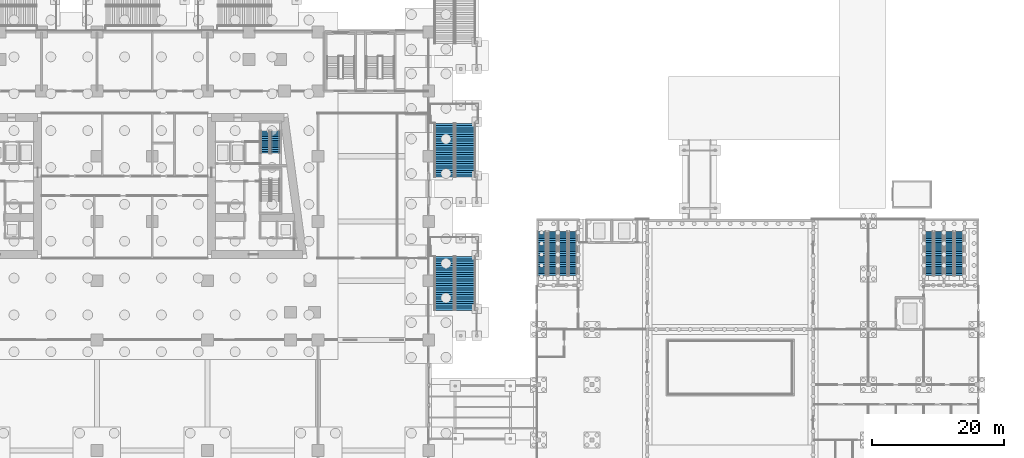
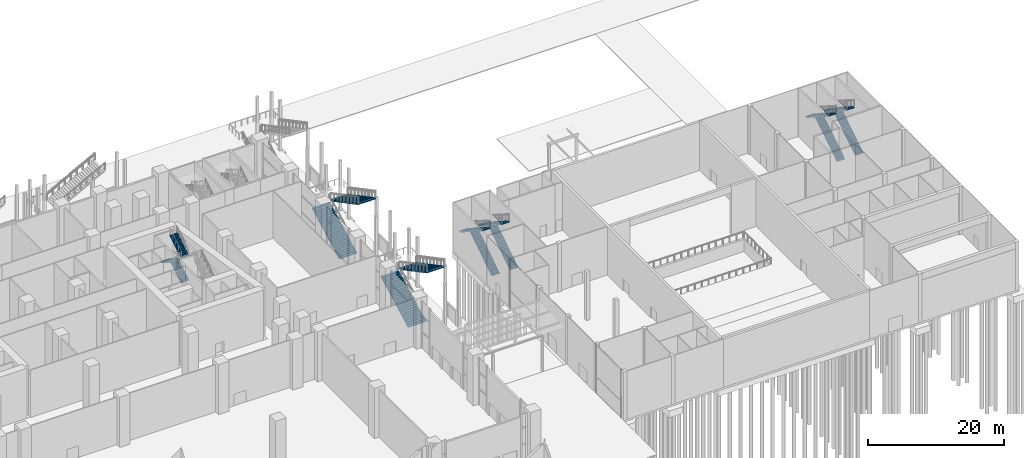
# One storey, part 53 of 72: 15 stair flights, 7 elements without a shape of their own.
"""IFC4 building model written with IfcOpenShell, lengths in metres."""

import ifcopenshell
import ifcopenshell.guid

model = None  # the IFC model being written
_history = None  # IfcOwnerHistory: only IFC2X3 demands one
_inside = {}  # id of a spatial element -> (the spatial element, [elements in it])
_under = {}  # id of a project, library or spatial element -> (it, [spatial elements below it])
_declared = {}  # id of a project -> (the project, [libraries it declares])
_typed = {}  # id of a type object -> (the type object, [elements of that type])
_made_of = {}  # id of a material, layer set ... -> (it, [elements and type objects made of it])


def new_model(schema):
    """Start an empty IFC model of exactly this schema.

    Asked for "IFC4X3", IfcOpenShell would pick the latest addendum, in which some entities
    have other attributes; the version numbers below select the first issue.
    IFC2X3 requires an IfcOwnerHistory on every rooted entity: one is made here for all.
    """
    global model, _history
    if schema == "IFC4X3":
        model = ifcopenshell.file(schema_version=(4, 3, 0, 0))
    else:
        model = ifcopenshell.file(schema=schema)
    _inside.clear()
    _under.clear()
    _declared.clear()
    _typed.clear()
    _made_of.clear()
    _history = None
    if model.schema == "IFC2X3":
        org = make("IfcOrganization", Name="unknown")
        user = make(
            "IfcPersonAndOrganization",
            ThePerson=make("IfcPerson", FamilyName="unknown"),
            TheOrganization=org,
        )
        app = make(
            "IfcApplication",
            ApplicationDeveloper=org,
            Version="unknown",
            ApplicationFullName="unknown",
            ApplicationIdentifier="unknown",
        )
        _history = make(
            "IfcOwnerHistory",
            OwningUser=user,
            OwningApplication=app,
            ChangeAction="ADDED",
            CreationDate=0,
        )
    return model


def make(cls, **values):
    """One entity of the class cls with the attributes given. An attribute that is None is left unset."""
    return model.create_entity(
        cls, **{name: value for name, value in values.items() if value is not None}
    )


def rooted(cls, **values):
    """An entity with a GlobalId (a new one), such as an element, a storey or a relation."""
    return make(cls, GlobalId=ifcopenshell.guid.new(), OwnerHistory=_history, **values)


def si_unit(unit_type, name, prefix=None):
    """IfcSIUnit, for example si_unit("LENGTHUNIT", "METRE", prefix="MILLI")."""
    return make("IfcSIUnit", UnitType=unit_type, Prefix=prefix, Name=name)


def assignment(units):
    """IfcUnitAssignment: the units of a project."""
    return None if units is None else make("IfcUnitAssignment", Units=units)


def point(xyz):
    """IfcCartesianPoint."""
    return None if xyz is None else make("IfcCartesianPoint", Coordinates=xyz)


def direction(xyz):
    """IfcDirection."""
    return None if xyz is None else make("IfcDirection", DirectionRatios=xyz)


def frame(location, z_axis=None, x_axis=None):
    """IfcAxis2Placement3D, a coordinate frame: its origin and axes. An axis left out is left unset."""
    return make(
        "IfcAxis2Placement3D",
        Location=point(location),
        Axis=direction(z_axis),
        RefDirection=direction(x_axis),
    )


def origin():
    """The frame at (0, 0, 0) with its axes left unset."""
    return frame((0.0, 0.0, 0.0))


def place(relative_to, where):
    """IfcLocalPlacement: puts the frame where relative to a parent placement (None: the world)."""
    return make(
        "IfcLocalPlacement", PlacementRelTo=relative_to, RelativePlacement=where
    )


def context(
    kind, dimensions, precision=None, world=None, true_north=None, identifier=None
):
    """IfcGeometricRepresentationContext, for example the 3D "Model" context."""
    return make(
        "IfcGeometricRepresentationContext",
        ContextIdentifier=identifier,
        ContextType=kind,
        CoordinateSpaceDimension=dimensions,
        Precision=precision,
        WorldCoordinateSystem=world,
        TrueNorth=true_north,
    )


def subcontext(parent, identifier, kind, view, scale=None):
    """IfcGeometricRepresentationSubContext, for example "Body" below "Model"."""
    return make(
        "IfcGeometricRepresentationSubContext",
        ContextIdentifier=identifier,
        ContextType=kind,
        ParentContext=parent,
        TargetScale=scale,
        TargetView=view,
    )


def project(units=None, contexts=None):
    """IfcProject with its units and contexts."""
    return rooted(
        "IfcProject",
        Name="project",
        RepresentationContexts=contexts,
        UnitsInContext=assignment(units),
    )


def spatial(cls, under=None, at=None, **own):
    """A site, building, storey or space (cls), placed at a placement, below another one or the project."""
    s = rooted(cls, ObjectPlacement=at, **own)
    if under is not None:
        _under.setdefault(under.id(), (under, []))[1].append(s)
    return s


def polyline(points):
    """IfcPolyline through the points."""
    return make("IfcPolyline", Points=[point(p) for p in points])


def outline(outer, holes=None, kind="AREA"):
    """IfcArbitraryClosedProfileDef: a profile drawn as a closed curve; with holes, ...WithVoids."""
    if holes is None:
        return make("IfcArbitraryClosedProfileDef", ProfileType=kind, OuterCurve=outer)
    return make(
        "IfcArbitraryProfileDefWithVoids",
        ProfileType=kind,
        OuterCurve=outer,
        InnerCurves=holes,
    )


def extrude(swept, where, along, depth):
    """IfcExtrudedAreaSolid: the profile swept, set in the frame where, extruded along a direction by depth."""
    return make(
        "IfcExtrudedAreaSolid",
        SweptArea=swept,
        Position=where,
        ExtrudedDirection=direction(along),
        Depth=depth,
    )


def shape(context_of_items, identifier, shape_type, items):
    """IfcShapeRepresentation: the items that make up one representation, for example the "Body"."""
    return make(
        "IfcShapeRepresentation",
        ContextOfItems=context_of_items,
        RepresentationIdentifier=identifier,
        RepresentationType=shape_type,
        Items=items,
    )


def material(Name=None, Category=None):
    """IfcMaterial."""
    return make("IfcMaterial", Name=Name, Category=Category)


def made_of(thing, what):
    """Note that an element or type object is made of a material, layer set ...; save() writes the relation."""
    if what is not None:
        _made_of.setdefault(what.id(), (what, []))[1].append(thing)
    return thing


def type_object(cls, material=None, **own):
    """A type object (cls), such as IfcWallType, which elements share."""
    return made_of(rooted(cls, **own), material)


def element(
    cls,
    number,
    at=None,
    inside=None,
    cuts=None,
    type_object=None,
    material=None,
    context=None,
    identifier="Body",
    shape_type=None,
    held_by="IfcProductDefinitionShape",
    body=None,
    shapes=None,
    **own,
):
    """One element of the class cls, such as IfcWall. Its Tag is "e" and its number.

    at: its placement. inside: the storey or other place that contains it. cuts: it is an
    opening in that element (IfcRelVoidsElement). A single representation is given by context,
    identifier, shape_type and body (its items); several are given by shapes. held_by: the class
    of the entity that holds the representations. save() writes the other relations.
    """
    e = rooted(cls, Tag="e%d" % number, ObjectPlacement=at, **own)
    if body is not None:
        shapes = [shape(context, identifier, shape_type, body)]
    if shapes is not None:
        e.Representation = make(held_by, Representations=shapes)
    if inside is not None:
        _inside.setdefault(inside.id(), (inside, []))[1].append(e)
    if cuts is not None:
        rooted(
            "IfcRelVoidsElement", RelatingBuildingElement=cuts, RelatedOpeningElement=e
        )
    if type_object is not None:
        _typed.setdefault(type_object.id(), (type_object, []))[1].append(e)
    return made_of(e, material)


def aggregate(whole, parts):
    """IfcRelAggregates: a whole, such as a stair, and the parts it consists of."""
    return rooted("IfcRelAggregates", RelatingObject=whole, RelatedObjects=parts)


def save(model, path):
    """Write the relations noted so far, then the file.

    IfcRelAggregates (storeys below a building ...), IfcRelContainedInSpatialStructure (elements
    in a storey), IfcRelDefinesByType, IfcRelAssociatesMaterial and IfcRelDeclares: one each for
    every whole, place, type object, material and project.
    """
    for whole, parts in _under.values():
        aggregate(whole, parts)
    for where, things in _inside.values():
        rooted(
            "IfcRelContainedInSpatialStructure",
            RelatedElements=things,
            RelatingStructure=where,
        )
    for kind, things in _typed.values():
        rooted("IfcRelDefinesByType", RelatedObjects=things, RelatingType=kind)
    for what, things in _made_of.values():
        rooted("IfcRelAssociatesMaterial", RelatedObjects=things, RelatingMaterial=what)
    for by, libraries in _declared.values():
        rooted("IfcRelDeclares", RelatingContext=by, RelatedDefinitions=libraries)
    model.write(path)


model = new_model("IFC4")

# Units and contexts
model_context = context("Model", 3, precision=1e-05, world=origin(), true_north=direction((0.0, 1.0)))
body_context = subcontext(model_context, "Body", "Model", "MODEL_VIEW")
ifc_project = project(units=[si_unit("LENGTHUNIT", "METRE"), si_unit("AREAUNIT", "SQUARE_METRE"), si_unit("VOLUMEUNIT", "CUBIC_METRE"), si_unit("PLANEANGLEUNIT", "RADIAN"), si_unit("MASSUNIT", "GRAM", prefix="KILO")], contexts=[model_context])

# Site, building, storey
site_placement = place(None, origin())
site = spatial("IfcSite", under=ifc_project, at=site_placement, CompositionType="ELEMENT")
building_placement = place(site_placement, origin())
building = spatial("IfcBuilding", under=site, at=building_placement, Name="Candeia Pilgrim Tower and Theatre", CompositionType="ELEMENT")
storey_placement = place(building_placement, origin())
storey = spatial("IfcBuildingStorey", under=building, at=storey_placement, Name="L00", CompositionType="ELEMENT", Elevation=0.0)

# Stair, stair flights
ifc_material_1 = material(Name="Concrete C40/50", Category="concrete")
stair_type_1 = type_object("IfcStairType", Name="ST-EXT external escape stair", PredefinedType="HALF_TURN_STAIR", material=ifc_material_1)
stair_1_placement = place(storey_placement, origin())
stair_1 = element("IfcStair", 1, at=stair_1_placement, inside=storey, type_object=stair_type_1, Name="L00 External escape stair ES1", PredefinedType="HALF_TURN_STAIR")
stair_flight_type_1 = type_object("IfcStairFlightType", Name="SFL-EXT stair flight", PredefinedType="STRAIGHT", material=ifc_material_1)
stair_flight_1_placement = place(storey_placement, frame((162.0, 102.5, 0.0), z_axis=(0.0, 0.0, 1.0), x_axis=(0.0, 1.0, 0.0)))
stair_flight_1 = element("IfcStairFlight", 2, at=stair_flight_1_placement, type_object=stair_flight_type_1, Name="ES1 flight 1", NumberOfRisers=25, NumberOfTreads=24, PredefinedType="STRAIGHT", RiserHeight=0.18, TreadLength=0.34, context=body_context, shape_type="SweptSolid", body=[
    extrude(outline(polyline([(0.0, 0.0), (0.0, 0.179931640625), (0.340087890625, 0.179931640625), (0.340087890625, 0.360107421875), (0.679931640625, 0.360107421875), (0.679931640625, 0.5400390625), (1.02001953125, 0.5400390625), (1.02001953125, 0.719970703125), (1.360107421875, 0.719970703125), (1.360107421875, 0.89990234375), (1.699951171875, 0.89990234375), (1.699951171875, 1.080078125), (2.0400390625, 1.080078125), (2.0400390625, 1.260009765625), (2.3798828125, 1.260009765625), (2.3798828125, 1.43994140625), (2.719970703125, 1.43994140625), (2.719970703125, 1.6201171875), (3.06005859375, 1.6201171875), (3.06005859375, 1.800048828125), (3.39990234375, 1.800048828125), (3.39990234375, 1.97998046875), (3.739990234375, 1.97998046875), (3.739990234375, 2.159912109375), (4.080078125, 2.159912109375), (4.080078125, 2.340087890625), (4.419921875, 2.340087890625), (4.419921875, 2.52001953125), (4.760009765625, 2.52001953125), (4.760009765625, 2.699951171875), (5.10009765625, 2.699951171875), (5.10009765625, 2.8798828125), (5.43994140625, 2.8798828125), (5.43994140625, 3.06005859375), (5.780029296875, 3.06005859375), (5.780029296875, 3.239990234375), (6.1201171875, 3.239990234375), (6.1201171875, 3.419921875), (6.4599609375, 3.419921875), (6.4599609375, 3.60009765625), (6.800048828125, 3.60009765625), (6.800048828125, 3.780029296875), (7.139892578125, 3.780029296875), (7.139892578125, 3.9599609375), (7.47998046875, 3.9599609375), (7.47998046875, 4.139892578125), (7.820068359375, 4.139892578125), (7.820068359375, 4.320068359375), (8.159912109375, 4.320068359375), (8.159912109375, 4.5), (8.159912109375, 4.150390625), (0.3203125, 0.0), (0.0, 0.0)])), frame((0.0, 1.5, 0.0), z_axis=(0.0, -1.0, 0.0), x_axis=(1.0, 0.0, 0.0)), (0.0, 0.0, 1.0), 3.0),
])
stair_flight_2_placement = place(storey_placement, frame((165.14990234375, 110.659912109375, 4.5), z_axis=(0.0, 0.0, 1.0), x_axis=(0.0, -1.0, 0.0)))
stair_flight_2 = element("IfcStairFlight", 3, at=stair_flight_2_placement, type_object=stair_flight_type_1, Name="ES1 flight 2", NumberOfRisers=25, NumberOfTreads=24, PredefinedType="STRAIGHT", RiserHeight=0.18, TreadLength=0.34, context=body_context, shape_type="SweptSolid", body=[
    extrude(outline(polyline([(0.0, 0.0), (0.0, 0.179931640625), (0.340087890625, 0.179931640625), (0.340087890625, 0.360107421875), (0.679931640625, 0.360107421875), (0.679931640625, 0.5400390625), (1.02001953125, 0.5400390625), (1.02001953125, 0.719970703125), (1.360107421875, 0.719970703125), (1.360107421875, 0.89990234375), (1.699951171875, 0.89990234375), (1.699951171875, 1.080078125), (2.0400390625, 1.080078125), (2.0400390625, 1.260009765625), (2.3798828125, 1.260009765625), (2.3798828125, 1.43994140625), (2.719970703125, 1.43994140625), (2.719970703125, 1.6201171875), (3.06005859375, 1.6201171875), (3.06005859375, 1.800048828125), (3.39990234375, 1.800048828125), (3.39990234375, 1.97998046875), (3.739990234375, 1.97998046875), (3.739990234375, 2.159912109375), (4.080078125, 2.159912109375), (4.080078125, 2.340087890625), (4.419921875, 2.340087890625), (4.419921875, 2.52001953125), (4.760009765625, 2.52001953125), (4.760009765625, 2.699951171875), (5.10009765625, 2.699951171875), (5.10009765625, 2.8798828125), (5.43994140625, 2.8798828125), (5.43994140625, 3.06005859375), (5.780029296875, 3.06005859375), (5.780029296875, 3.239990234375), (6.1201171875, 3.239990234375), (6.1201171875, 3.419921875), (6.4599609375, 3.419921875), (6.4599609375, 3.60009765625), (6.800048828125, 3.60009765625), (6.800048828125, 3.780029296875), (7.139892578125, 3.780029296875), (7.139892578125, 3.9599609375), (7.47998046875, 3.9599609375), (7.47998046875, 4.139892578125), (7.820068359375, 4.139892578125), (7.820068359375, 4.320068359375), (8.159912109375, 4.320068359375), (8.159912109375, 4.5), (8.159912109375, 4.150390625), (0.3203125, 0.0), (0.0, 0.0)])), frame((0.0, 1.5, 0.0), z_axis=(0.0, -1.0, 0.0), x_axis=(1.0, 0.0, 0.0)), (0.0, 0.0, 1.0), 3.0),
])
aggregate(stair_1, [stair_flight_1, stair_flight_2])

stair_2_placement = place(storey_placement, origin())
stair_2 = element("IfcStair", 4, at=stair_2_placement, inside=storey, type_object=stair_type_1, Name="L00 External escape stair ES14", PredefinedType="HALF_TURN_STAIR")
stair_flight_3_placement = place(storey_placement, frame((162.0, 122.75, 0.0), z_axis=(0.0, 0.0, 1.0), x_axis=(0.0, 1.0, 0.0)))
stair_flight_3 = element("IfcStairFlight", 5, at=stair_flight_3_placement, type_object=stair_flight_type_1, Name="ES14 flight 1", NumberOfRisers=25, NumberOfTreads=24, PredefinedType="STRAIGHT", RiserHeight=0.18, TreadLength=0.34, context=body_context, shape_type="SweptSolid", body=[
    extrude(outline(polyline([(0.0, 0.0), (0.0, 0.179931640625), (0.340087890625, 0.179931640625), (0.340087890625, 0.360107421875), (0.679931640625, 0.360107421875), (0.679931640625, 0.5400390625), (1.02001953125, 0.5400390625), (1.02001953125, 0.719970703125), (1.360107421875, 0.719970703125), (1.360107421875, 0.89990234375), (1.699951171875, 0.89990234375), (1.699951171875, 1.080078125), (2.0400390625, 1.080078125), (2.0400390625, 1.260009765625), (2.3798828125, 1.260009765625), (2.3798828125, 1.43994140625), (2.719970703125, 1.43994140625), (2.719970703125, 1.6201171875), (3.06005859375, 1.6201171875), (3.06005859375, 1.800048828125), (3.39990234375, 1.800048828125), (3.39990234375, 1.97998046875), (3.739990234375, 1.97998046875), (3.739990234375, 2.159912109375), (4.080078125, 2.159912109375), (4.080078125, 2.340087890625), (4.419921875, 2.340087890625), (4.419921875, 2.52001953125), (4.760009765625, 2.52001953125), (4.760009765625, 2.699951171875), (5.10009765625, 2.699951171875), (5.10009765625, 2.8798828125), (5.43994140625, 2.8798828125), (5.43994140625, 3.06005859375), (5.780029296875, 3.06005859375), (5.780029296875, 3.239990234375), (6.1201171875, 3.239990234375), (6.1201171875, 3.419921875), (6.4599609375, 3.419921875), (6.4599609375, 3.60009765625), (6.800048828125, 3.60009765625), (6.800048828125, 3.780029296875), (7.139892578125, 3.780029296875), (7.139892578125, 3.9599609375), (7.47998046875, 3.9599609375), (7.47998046875, 4.139892578125), (7.820068359375, 4.139892578125), (7.820068359375, 4.320068359375), (8.159912109375, 4.320068359375), (8.159912109375, 4.5), (8.159912109375, 4.150390625), (0.3203125, 0.0), (0.0, 0.0)])), frame((0.0, 1.5, 0.0), z_axis=(0.0, -1.0, 0.0), x_axis=(1.0, 0.0, 0.0)), (0.0, 0.0, 1.0), 3.0),
])
stair_flight_4_placement = place(storey_placement, frame((165.14990234375, 130.909912109375, 4.5), z_axis=(0.0, 0.0, 1.0), x_axis=(0.0, -1.0, 0.0)))
stair_flight_4 = element("IfcStairFlight", 6, at=stair_flight_4_placement, type_object=stair_flight_type_1, Name="ES14 flight 2", NumberOfRisers=25, NumberOfTreads=24, PredefinedType="STRAIGHT", RiserHeight=0.18, TreadLength=0.34, context=body_context, shape_type="SweptSolid", body=[
    extrude(outline(polyline([(0.0, 0.0), (0.0, 0.179931640625), (0.340087890625, 0.179931640625), (0.340087890625, 0.360107421875), (0.679931640625, 0.360107421875), (0.679931640625, 0.5400390625), (1.02001953125, 0.5400390625), (1.02001953125, 0.719970703125), (1.360107421875, 0.719970703125), (1.360107421875, 0.89990234375), (1.699951171875, 0.89990234375), (1.699951171875, 1.080078125), (2.0400390625, 1.080078125), (2.0400390625, 1.260009765625), (2.3798828125, 1.260009765625), (2.3798828125, 1.43994140625), (2.719970703125, 1.43994140625), (2.719970703125, 1.6201171875), (3.06005859375, 1.6201171875), (3.06005859375, 1.800048828125), (3.39990234375, 1.800048828125), (3.39990234375, 1.97998046875), (3.739990234375, 1.97998046875), (3.739990234375, 2.159912109375), (4.080078125, 2.159912109375), (4.080078125, 2.340087890625), (4.419921875, 2.340087890625), (4.419921875, 2.52001953125), (4.760009765625, 2.52001953125), (4.760009765625, 2.699951171875), (5.10009765625, 2.699951171875), (5.10009765625, 2.8798828125), (5.43994140625, 2.8798828125), (5.43994140625, 3.06005859375), (5.780029296875, 3.06005859375), (5.780029296875, 3.239990234375), (6.1201171875, 3.239990234375), (6.1201171875, 3.419921875), (6.4599609375, 3.419921875), (6.4599609375, 3.60009765625), (6.800048828125, 3.60009765625), (6.800048828125, 3.780029296875), (7.139892578125, 3.780029296875), (7.139892578125, 3.9599609375), (7.47998046875, 3.9599609375), (7.47998046875, 4.139892578125), (7.820068359375, 4.139892578125), (7.820068359375, 4.320068359375), (8.159912109375, 4.320068359375), (8.159912109375, 4.5), (8.159912109375, 4.150390625), (0.3203125, 0.0), (0.0, 0.0)])), frame((0.0, 1.5, 0.0), z_axis=(0.0, -1.0, 0.0), x_axis=(1.0, 0.0, 0.0)), (0.0, 0.0, 1.0), 3.0),
])
aggregate(stair_2, [stair_flight_3, stair_flight_4])

stair_type_2 = type_object("IfcStairType", Name="ST-TWR dog-leg escape stair", PredefinedType="HALF_TURN_STAIR", material=ifc_material_1)
stair_3_placement = place(storey_placement, origin())
stair_3 = element("IfcStair", 7, at=stair_3_placement, inside=storey, type_object=stair_type_2, Name="L00 Escape stair ST4", PredefinedType="HALF_TURN_STAIR")
stair_flight_type_2 = type_object("IfcStairFlightType", Name="SFL-RC stair flight", PredefinedType="STRAIGHT", material=ifc_material_1)
stair_flight_5_placement = place(storey_placement, frame((136.322998046875, 126.364990234375, 2.25), z_axis=(0.0, 0.0, 1.0), x_axis=(0.0, 1.0, 0.0)))
stair_flight_5 = element("IfcStairFlight", 8, at=stair_flight_5_placement, type_object=stair_flight_type_2, Name="ST4 flight 2", NumberOfRisers=13, NumberOfTreads=12, PredefinedType="STRAIGHT", RiserHeight=0.173076923, TreadLength=0.28, context=body_context, shape_type="SweptSolid", body=[
    extrude(outline(polyline([(0.0, 0.0), (0.0, 0.173095703125), (0.280029296875, 0.173095703125), (0.280029296875, 0.34619140625), (0.56005859375, 0.34619140625), (0.56005859375, 0.519287109375), (0.840087890625, 0.519287109375), (0.840087890625, 0.6923828125), (1.1201171875, 0.6923828125), (1.1201171875, 0.865478515625), (1.39990234375, 0.865478515625), (1.39990234375, 1.03857421875), (1.679931640625, 1.03857421875), (1.679931640625, 1.21142578125), (1.9599609375, 1.21142578125), (1.9599609375, 1.384521484375), (2.239990234375, 1.384521484375), (2.239990234375, 1.5576171875), (2.52001953125, 1.5576171875), (2.52001953125, 1.730712890625), (2.800048828125, 1.730712890625), (2.800048828125, 1.90380859375), (3.080078125, 1.90380859375), (3.080078125, 2.076904296875), (3.360107421875, 2.076904296875), (3.360107421875, 2.25), (3.360107421875, 1.900634765625), (0.28515625, 0.0), (0.0, 0.0)])), frame((0.0, 0.675048828125, 0.0), z_axis=(0.0, -1.0, 0.0), x_axis=(1.0, 0.0, 0.0)), (0.0, 0.0, 1.0), 1.35009765625),
])
stair_flight_6_placement = place(storey_placement, frame((134.77294921875, 129.72509765625, 4.5), z_axis=(0.0, 0.0, 1.0), x_axis=(0.0, -1.0, 0.0)))
stair_flight_6 = element("IfcStairFlight", 9, at=stair_flight_6_placement, type_object=stair_flight_type_2, Name="ST4 flight 3", NumberOfRisers=13, NumberOfTreads=12, PredefinedType="STRAIGHT", RiserHeight=0.173076923, TreadLength=0.28, context=body_context, shape_type="SweptSolid", body=[
    extrude(outline(polyline([(0.0, 0.0), (0.0, 0.173095703125), (0.280029296875, 0.173095703125), (0.280029296875, 0.34619140625), (0.56005859375, 0.34619140625), (0.56005859375, 0.519287109375), (0.840087890625, 0.519287109375), (0.840087890625, 0.6923828125), (1.1201171875, 0.6923828125), (1.1201171875, 0.865478515625), (1.39990234375, 0.865478515625), (1.39990234375, 1.03857421875), (1.679931640625, 1.03857421875), (1.679931640625, 1.21142578125), (1.9599609375, 1.21142578125), (1.9599609375, 1.384521484375), (2.239990234375, 1.384521484375), (2.239990234375, 1.5576171875), (2.52001953125, 1.5576171875), (2.52001953125, 1.730712890625), (2.800048828125, 1.730712890625), (2.800048828125, 1.90380859375), (3.080078125, 1.90380859375), (3.080078125, 2.076904296875), (3.360107421875, 2.076904296875), (3.360107421875, 2.25), (3.360107421875, 1.900634765625), (0.28515625, 0.0), (0.0, 0.0)])), frame((0.0, 0.675048828125, 0.0), z_axis=(0.0, -1.0, 0.0), x_axis=(1.0, 0.0, 0.0)), (0.0, 0.0, 1.0), 1.35009765625),
])
stair_flight_7_placement = place(storey_placement, frame((136.322998046875, 126.364990234375, 6.75), z_axis=(0.0, 0.0, 1.0), x_axis=(0.0, 1.0, 0.0)))
stair_flight_7 = element("IfcStairFlight", 10, at=stair_flight_7_placement, type_object=stair_flight_type_2, Name="ST4 flight 4", NumberOfRisers=13, NumberOfTreads=12, PredefinedType="STRAIGHT", RiserHeight=0.173076923, TreadLength=0.28, context=body_context, shape_type="SweptSolid", body=[
    extrude(outline(polyline([(0.0, 0.0), (0.0, 0.173095703125), (0.280029296875, 0.173095703125), (0.280029296875, 0.34619140625), (0.56005859375, 0.34619140625), (0.56005859375, 0.519287109375), (0.840087890625, 0.519287109375), (0.840087890625, 0.6923828125), (1.1201171875, 0.6923828125), (1.1201171875, 0.865478515625), (1.39990234375, 0.865478515625), (1.39990234375, 1.03857421875), (1.679931640625, 1.03857421875), (1.679931640625, 1.21142578125), (1.9599609375, 1.21142578125), (1.9599609375, 1.384521484375), (2.239990234375, 1.384521484375), (2.239990234375, 1.5576171875), (2.52001953125, 1.5576171875), (2.52001953125, 1.730712890625), (2.800048828125, 1.730712890625), (2.800048828125, 1.90380859375), (3.080078125, 1.90380859375), (3.080078125, 2.076904296875), (3.360107421875, 2.076904296875), (3.360107421875, 2.25), (3.360107421875, 1.900634765625), (0.28515625, 0.0), (0.0, 0.0)])), frame((0.0, 0.675048828125, 0.0), z_axis=(0.0, -1.0, 0.0), x_axis=(1.0, 0.0, 0.0)), (0.0, 0.0, 1.0), 1.35009765625),
])
aggregate(stair_3, [stair_flight_5, stair_flight_6, stair_flight_7])

ifc_material_2 = material(Name="Concrete C35/45", Category="concrete")
stair_type_3 = type_object("IfcStairType", Name="Theatre stair", PredefinedType="HALF_TURN_STAIR", material=ifc_material_2)
stair_4_placement = place(storey_placement, origin())
stair_4 = element("IfcStair", 11, at=stair_4_placement, inside=storey, type_object=stair_type_3, Name="L00 Theatre stair S1", PredefinedType="HALF_TURN_STAIR")
stair_flight_type_3 = type_object("IfcStairFlightType", Name="Theatre stair flight", PredefinedType="STRAIGHT", material=ifc_material_2)
stair_flight_8_placement = place(storey_placement, frame((178.425048828125, 107.77490234375, 0.0), z_axis=(0.0, 0.0, 1.0), x_axis=(0.0, 1.0, 0.0)))
stair_flight_8 = element("IfcStairFlight", 12, at=stair_flight_8_placement, type_object=stair_flight_type_3, Name="TS1 flight 1", NumberOfRisers=25, NumberOfTreads=24, PredefinedType="STRAIGHT", RiserHeight=0.18, TreadLength=0.28, context=body_context, shape_type="SweptSolid", body=[
    extrude(outline(polyline([(0.0, 0.0), (0.0, 0.179931640625), (0.280029296875, 0.179931640625), (0.280029296875, 0.360107421875), (0.56005859375, 0.360107421875), (0.56005859375, 0.5400390625), (0.840087890625, 0.5400390625), (0.840087890625, 0.719970703125), (1.1201171875, 0.719970703125), (1.1201171875, 0.89990234375), (1.39990234375, 0.89990234375), (1.39990234375, 1.080078125), (1.679931640625, 1.080078125), (1.679931640625, 1.260009765625), (1.9599609375, 1.260009765625), (1.9599609375, 1.43994140625), (2.239990234375, 1.43994140625), (2.239990234375, 1.6201171875), (2.52001953125, 1.6201171875), (2.52001953125, 1.800048828125), (2.800048828125, 1.800048828125), (2.800048828125, 1.97998046875), (3.080078125, 1.97998046875), (3.080078125, 2.159912109375), (3.360107421875, 2.159912109375), (3.360107421875, 2.340087890625), (3.639892578125, 2.340087890625), (3.639892578125, 2.52001953125), (3.919921875, 2.52001953125), (3.919921875, 2.699951171875), (4.199951171875, 2.699951171875), (4.199951171875, 2.8798828125), (4.47998046875, 2.8798828125), (4.47998046875, 3.06005859375), (4.760009765625, 3.06005859375), (4.760009765625, 3.239990234375), (5.0400390625, 3.239990234375), (5.0400390625, 3.419921875), (5.320068359375, 3.419921875), (5.320068359375, 3.60009765625), (5.60009765625, 3.60009765625), (5.60009765625, 3.780029296875), (5.8798828125, 3.780029296875), (5.8798828125, 3.9599609375), (6.159912109375, 3.9599609375), (6.159912109375, 4.139892578125), (6.43994140625, 4.139892578125), (6.43994140625, 4.320068359375), (6.719970703125, 4.320068359375), (6.719970703125, 4.5), (6.719970703125, 4.141845703125), (0.277099609375, 0.0), (0.0, 0.0)])), frame((0.0, 0.675048828125, 0.0), z_axis=(0.0, -1.0, 0.0), x_axis=(1.0, 0.0, 0.0)), (0.0, 0.0, 1.0), 1.35009765625),
])
stair_flight_9_placement = place(storey_placement, frame((176.800048828125, 114.4951171875, 4.5), z_axis=(0.0, 0.0, 1.0), x_axis=(0.0, -1.0, 0.0)))
stair_flight_9 = element("IfcStairFlight", 13, at=stair_flight_9_placement, type_object=stair_flight_type_3, Name="TS1 flight 2", NumberOfRisers=25, NumberOfTreads=24, PredefinedType="STRAIGHT", RiserHeight=0.18, TreadLength=0.28, context=body_context, shape_type="SweptSolid", body=[
    extrude(outline(polyline([(0.0, 0.0), (0.0, 0.179931640625), (0.280029296875, 0.179931640625), (0.280029296875, 0.360107421875), (0.56005859375, 0.360107421875), (0.56005859375, 0.5400390625), (0.840087890625, 0.5400390625), (0.840087890625, 0.719970703125), (1.1201171875, 0.719970703125), (1.1201171875, 0.89990234375), (1.39990234375, 0.89990234375), (1.39990234375, 1.080078125), (1.679931640625, 1.080078125), (1.679931640625, 1.260009765625), (1.9599609375, 1.260009765625), (1.9599609375, 1.43994140625), (2.239990234375, 1.43994140625), (2.239990234375, 1.6201171875), (2.52001953125, 1.6201171875), (2.52001953125, 1.800048828125), (2.800048828125, 1.800048828125), (2.800048828125, 1.97998046875), (3.080078125, 1.97998046875), (3.080078125, 2.159912109375), (3.360107421875, 2.159912109375), (3.360107421875, 2.340087890625), (3.639892578125, 2.340087890625), (3.639892578125, 2.52001953125), (3.919921875, 2.52001953125), (3.919921875, 2.699951171875), (4.199951171875, 2.699951171875), (4.199951171875, 2.8798828125), (4.47998046875, 2.8798828125), (4.47998046875, 3.06005859375), (4.760009765625, 3.06005859375), (4.760009765625, 3.239990234375), (5.0400390625, 3.239990234375), (5.0400390625, 3.419921875), (5.320068359375, 3.419921875), (5.320068359375, 3.60009765625), (5.60009765625, 3.60009765625), (5.60009765625, 3.780029296875), (5.8798828125, 3.780029296875), (5.8798828125, 3.9599609375), (6.159912109375, 3.9599609375), (6.159912109375, 4.139892578125), (6.43994140625, 4.139892578125), (6.43994140625, 4.320068359375), (6.719970703125, 4.320068359375), (6.719970703125, 4.5), (6.719970703125, 4.141845703125), (0.277099609375, 0.0), (0.0, 0.0)])), frame((0.0, 0.675048828125, 0.0), z_axis=(0.0, -1.0, 0.0), x_axis=(1.0, 0.0, 0.0)), (0.0, 0.0, 1.0), 1.35009765625),
])
aggregate(stair_4, [stair_flight_8, stair_flight_9])

stair_5_placement = place(storey_placement, origin())
stair_5 = element("IfcStair", 14, at=stair_5_placement, inside=storey, type_object=stair_type_3, Name="L00 Theatre stair S2", PredefinedType="HALF_TURN_STAIR")
stair_flight_10_placement = place(storey_placement, frame((181.52490234375, 107.77490234375, 0.0), z_axis=(0.0, 0.0, 1.0), x_axis=(0.0, 1.0, 0.0)))
stair_flight_10 = element("IfcStairFlight", 15, at=stair_flight_10_placement, type_object=stair_flight_type_3, Name="TS2 flight 1", NumberOfRisers=25, NumberOfTreads=24, PredefinedType="STRAIGHT", RiserHeight=0.18, TreadLength=0.28, context=body_context, shape_type="SweptSolid", body=[
    extrude(outline(polyline([(0.0, 0.0), (0.0, 0.179931640625), (0.280029296875, 0.179931640625), (0.280029296875, 0.360107421875), (0.56005859375, 0.360107421875), (0.56005859375, 0.5400390625), (0.840087890625, 0.5400390625), (0.840087890625, 0.719970703125), (1.1201171875, 0.719970703125), (1.1201171875, 0.89990234375), (1.39990234375, 0.89990234375), (1.39990234375, 1.080078125), (1.679931640625, 1.080078125), (1.679931640625, 1.260009765625), (1.9599609375, 1.260009765625), (1.9599609375, 1.43994140625), (2.239990234375, 1.43994140625), (2.239990234375, 1.6201171875), (2.52001953125, 1.6201171875), (2.52001953125, 1.800048828125), (2.800048828125, 1.800048828125), (2.800048828125, 1.97998046875), (3.080078125, 1.97998046875), (3.080078125, 2.159912109375), (3.360107421875, 2.159912109375), (3.360107421875, 2.340087890625), (3.639892578125, 2.340087890625), (3.639892578125, 2.52001953125), (3.919921875, 2.52001953125), (3.919921875, 2.699951171875), (4.199951171875, 2.699951171875), (4.199951171875, 2.8798828125), (4.47998046875, 2.8798828125), (4.47998046875, 3.06005859375), (4.760009765625, 3.06005859375), (4.760009765625, 3.239990234375), (5.0400390625, 3.239990234375), (5.0400390625, 3.419921875), (5.320068359375, 3.419921875), (5.320068359375, 3.60009765625), (5.60009765625, 3.60009765625), (5.60009765625, 3.780029296875), (5.8798828125, 3.780029296875), (5.8798828125, 3.9599609375), (6.159912109375, 3.9599609375), (6.159912109375, 4.139892578125), (6.43994140625, 4.139892578125), (6.43994140625, 4.320068359375), (6.719970703125, 4.320068359375), (6.719970703125, 4.5), (6.719970703125, 4.141845703125), (0.277099609375, 0.0), (0.0, 0.0)])), frame((0.0, 0.675048828125, 0.0), z_axis=(0.0, -1.0, 0.0), x_axis=(1.0, 0.0, 0.0)), (0.0, 0.0, 1.0), 1.35009765625),
])
stair_flight_11_placement = place(storey_placement, frame((180.02490234375, 114.4951171875, 4.5), z_axis=(0.0, 0.0, 1.0), x_axis=(0.0, -1.0, 0.0)))
stair_flight_11 = element("IfcStairFlight", 16, at=stair_flight_11_placement, type_object=stair_flight_type_3, Name="TS2 flight 2", NumberOfRisers=25, NumberOfTreads=24, PredefinedType="STRAIGHT", RiserHeight=0.18, TreadLength=0.28, context=body_context, shape_type="SweptSolid", body=[
    extrude(outline(polyline([(0.0, 0.0), (0.0, 0.179931640625), (0.280029296875, 0.179931640625), (0.280029296875, 0.360107421875), (0.56005859375, 0.360107421875), (0.56005859375, 0.5400390625), (0.840087890625, 0.5400390625), (0.840087890625, 0.719970703125), (1.1201171875, 0.719970703125), (1.1201171875, 0.89990234375), (1.39990234375, 0.89990234375), (1.39990234375, 1.080078125), (1.679931640625, 1.080078125), (1.679931640625, 1.260009765625), (1.9599609375, 1.260009765625), (1.9599609375, 1.43994140625), (2.239990234375, 1.43994140625), (2.239990234375, 1.6201171875), (2.52001953125, 1.6201171875), (2.52001953125, 1.800048828125), (2.800048828125, 1.800048828125), (2.800048828125, 1.97998046875), (3.080078125, 1.97998046875), (3.080078125, 2.159912109375), (3.360107421875, 2.159912109375), (3.360107421875, 2.340087890625), (3.639892578125, 2.340087890625), (3.639892578125, 2.52001953125), (3.919921875, 2.52001953125), (3.919921875, 2.699951171875), (4.199951171875, 2.699951171875), (4.199951171875, 2.8798828125), (4.47998046875, 2.8798828125), (4.47998046875, 3.06005859375), (4.760009765625, 3.06005859375), (4.760009765625, 3.239990234375), (5.0400390625, 3.239990234375), (5.0400390625, 3.419921875), (5.320068359375, 3.419921875), (5.320068359375, 3.60009765625), (5.60009765625, 3.60009765625), (5.60009765625, 3.780029296875), (5.8798828125, 3.780029296875), (5.8798828125, 3.9599609375), (6.159912109375, 3.9599609375), (6.159912109375, 4.139892578125), (6.43994140625, 4.139892578125), (6.43994140625, 4.320068359375), (6.719970703125, 4.320068359375), (6.719970703125, 4.5), (6.719970703125, 4.141845703125), (0.277099609375, 0.0), (0.0, 0.0)])), frame((0.0, 0.675048828125, 0.0), z_axis=(0.0, -1.0, 0.0), x_axis=(1.0, 0.0, 0.0)), (0.0, 0.0, 1.0), 1.35009765625),
])
aggregate(stair_5, [stair_flight_10, stair_flight_11])

stair_6_placement = place(storey_placement, origin())
stair_6 = element("IfcStair", 17, at=stair_6_placement, inside=storey, type_object=stair_type_3, Name="L00 Theatre stair S3", PredefinedType="HALF_TURN_STAIR")
stair_flight_12_placement = place(storey_placement, frame((237.10009765625, 107.77490234375, 0.0), z_axis=(0.0, 0.0, 1.0), x_axis=(0.0, 1.0, 0.0)))
stair_flight_12 = element("IfcStairFlight", 18, at=stair_flight_12_placement, type_object=stair_flight_type_3, Name="TS3 flight 1", NumberOfRisers=25, NumberOfTreads=24, PredefinedType="STRAIGHT", RiserHeight=0.18, TreadLength=0.28, context=body_context, shape_type="SweptSolid", body=[
    extrude(outline(polyline([(0.0, 0.0), (0.0, 0.179931640625), (0.280029296875, 0.179931640625), (0.280029296875, 0.360107421875), (0.56005859375, 0.360107421875), (0.56005859375, 0.5400390625), (0.840087890625, 0.5400390625), (0.840087890625, 0.719970703125), (1.1201171875, 0.719970703125), (1.1201171875, 0.89990234375), (1.39990234375, 0.89990234375), (1.39990234375, 1.080078125), (1.679931640625, 1.080078125), (1.679931640625, 1.260009765625), (1.9599609375, 1.260009765625), (1.9599609375, 1.43994140625), (2.239990234375, 1.43994140625), (2.239990234375, 1.6201171875), (2.52001953125, 1.6201171875), (2.52001953125, 1.800048828125), (2.800048828125, 1.800048828125), (2.800048828125, 1.97998046875), (3.080078125, 1.97998046875), (3.080078125, 2.159912109375), (3.360107421875, 2.159912109375), (3.360107421875, 2.340087890625), (3.639892578125, 2.340087890625), (3.639892578125, 2.52001953125), (3.919921875, 2.52001953125), (3.919921875, 2.699951171875), (4.199951171875, 2.699951171875), (4.199951171875, 2.8798828125), (4.47998046875, 2.8798828125), (4.47998046875, 3.06005859375), (4.760009765625, 3.06005859375), (4.760009765625, 3.239990234375), (5.0400390625, 3.239990234375), (5.0400390625, 3.419921875), (5.320068359375, 3.419921875), (5.320068359375, 3.60009765625), (5.60009765625, 3.60009765625), (5.60009765625, 3.780029296875), (5.8798828125, 3.780029296875), (5.8798828125, 3.9599609375), (6.159912109375, 3.9599609375), (6.159912109375, 4.139892578125), (6.43994140625, 4.139892578125), (6.43994140625, 4.320068359375), (6.719970703125, 4.320068359375), (6.719970703125, 4.5), (6.719970703125, 4.141845703125), (0.277099609375, 0.0), (0.0, 0.0)])), frame((0.0, 0.675048828125, 0.0), z_axis=(0.0, -1.0, 0.0), x_axis=(1.0, 0.0, 0.0)), (0.0, 0.0, 1.0), 1.35009765625),
])
stair_flight_13_placement = place(storey_placement, frame((235.60009765625, 114.4951171875, 4.5), z_axis=(0.0, 0.0, 1.0), x_axis=(0.0, -1.0, 0.0)))
stair_flight_13 = element("IfcStairFlight", 19, at=stair_flight_13_placement, type_object=stair_flight_type_3, Name="TS3 flight 2", NumberOfRisers=25, NumberOfTreads=24, PredefinedType="STRAIGHT", RiserHeight=0.18, TreadLength=0.28, context=body_context, shape_type="SweptSolid", body=[
    extrude(outline(polyline([(0.0, 0.0), (0.0, 0.179931640625), (0.280029296875, 0.179931640625), (0.280029296875, 0.360107421875), (0.56005859375, 0.360107421875), (0.56005859375, 0.5400390625), (0.840087890625, 0.5400390625), (0.840087890625, 0.719970703125), (1.1201171875, 0.719970703125), (1.1201171875, 0.89990234375), (1.39990234375, 0.89990234375), (1.39990234375, 1.080078125), (1.679931640625, 1.080078125), (1.679931640625, 1.260009765625), (1.9599609375, 1.260009765625), (1.9599609375, 1.43994140625), (2.239990234375, 1.43994140625), (2.239990234375, 1.6201171875), (2.52001953125, 1.6201171875), (2.52001953125, 1.800048828125), (2.800048828125, 1.800048828125), (2.800048828125, 1.97998046875), (3.080078125, 1.97998046875), (3.080078125, 2.159912109375), (3.360107421875, 2.159912109375), (3.360107421875, 2.340087890625), (3.639892578125, 2.340087890625), (3.639892578125, 2.52001953125), (3.919921875, 2.52001953125), (3.919921875, 2.699951171875), (4.199951171875, 2.699951171875), (4.199951171875, 2.8798828125), (4.47998046875, 2.8798828125), (4.47998046875, 3.06005859375), (4.760009765625, 3.06005859375), (4.760009765625, 3.239990234375), (5.0400390625, 3.239990234375), (5.0400390625, 3.419921875), (5.320068359375, 3.419921875), (5.320068359375, 3.60009765625), (5.60009765625, 3.60009765625), (5.60009765625, 3.780029296875), (5.8798828125, 3.780029296875), (5.8798828125, 3.9599609375), (6.159912109375, 3.9599609375), (6.159912109375, 4.139892578125), (6.43994140625, 4.139892578125), (6.43994140625, 4.320068359375), (6.719970703125, 4.320068359375), (6.719970703125, 4.5), (6.719970703125, 4.141845703125), (0.277099609375, 0.0), (0.0, 0.0)])), frame((0.0, 0.675048828125, 0.0), z_axis=(0.0, -1.0, 0.0), x_axis=(1.0, 0.0, 0.0)), (0.0, 0.0, 1.0), 1.35009765625),
])
aggregate(stair_6, [stair_flight_12, stair_flight_13])

stair_7_placement = place(storey_placement, origin())
stair_7 = element("IfcStair", 20, at=stair_7_placement, inside=storey, type_object=stair_type_3, Name="L00 Theatre stair S4", PredefinedType="HALF_TURN_STAIR")
stair_flight_14_placement = place(storey_placement, frame((240.199951171875, 107.77490234375, 0.0), z_axis=(0.0, 0.0, 1.0), x_axis=(0.0, 1.0, 0.0)))
stair_flight_14 = element("IfcStairFlight", 21, at=stair_flight_14_placement, type_object=stair_flight_type_3, Name="TS4 flight 1", NumberOfRisers=25, NumberOfTreads=24, PredefinedType="STRAIGHT", RiserHeight=0.18, TreadLength=0.28, context=body_context, shape_type="SweptSolid", body=[
    extrude(outline(polyline([(0.0, 0.0), (0.0, 0.179931640625), (0.280029296875, 0.179931640625), (0.280029296875, 0.360107421875), (0.56005859375, 0.360107421875), (0.56005859375, 0.5400390625), (0.840087890625, 0.5400390625), (0.840087890625, 0.719970703125), (1.1201171875, 0.719970703125), (1.1201171875, 0.89990234375), (1.39990234375, 0.89990234375), (1.39990234375, 1.080078125), (1.679931640625, 1.080078125), (1.679931640625, 1.260009765625), (1.9599609375, 1.260009765625), (1.9599609375, 1.43994140625), (2.239990234375, 1.43994140625), (2.239990234375, 1.6201171875), (2.52001953125, 1.6201171875), (2.52001953125, 1.800048828125), (2.800048828125, 1.800048828125), (2.800048828125, 1.97998046875), (3.080078125, 1.97998046875), (3.080078125, 2.159912109375), (3.360107421875, 2.159912109375), (3.360107421875, 2.340087890625), (3.639892578125, 2.340087890625), (3.639892578125, 2.52001953125), (3.919921875, 2.52001953125), (3.919921875, 2.699951171875), (4.199951171875, 2.699951171875), (4.199951171875, 2.8798828125), (4.47998046875, 2.8798828125), (4.47998046875, 3.06005859375), (4.760009765625, 3.06005859375), (4.760009765625, 3.239990234375), (5.0400390625, 3.239990234375), (5.0400390625, 3.419921875), (5.320068359375, 3.419921875), (5.320068359375, 3.60009765625), (5.60009765625, 3.60009765625), (5.60009765625, 3.780029296875), (5.8798828125, 3.780029296875), (5.8798828125, 3.9599609375), (6.159912109375, 3.9599609375), (6.159912109375, 4.139892578125), (6.43994140625, 4.139892578125), (6.43994140625, 4.320068359375), (6.719970703125, 4.320068359375), (6.719970703125, 4.5), (6.719970703125, 4.141845703125), (0.277099609375, 0.0), (0.0, 0.0)])), frame((0.0, 0.675048828125, 0.0), z_axis=(0.0, -1.0, 0.0), x_axis=(1.0, 0.0, 0.0)), (0.0, 0.0, 1.0), 1.35009765625),
])
stair_flight_15_placement = place(storey_placement, frame((238.699951171875, 114.4951171875, 4.5), z_axis=(0.0, 0.0, 1.0), x_axis=(0.0, -1.0, 0.0)))
stair_flight_15 = element("IfcStairFlight", 22, at=stair_flight_15_placement, type_object=stair_flight_type_3, Name="TS4 flight 2", NumberOfRisers=25, NumberOfTreads=24, PredefinedType="STRAIGHT", RiserHeight=0.18, TreadLength=0.28, context=body_context, shape_type="SweptSolid", body=[
    extrude(outline(polyline([(0.0, 0.0), (0.0, 0.179931640625), (0.280029296875, 0.179931640625), (0.280029296875, 0.360107421875), (0.56005859375, 0.360107421875), (0.56005859375, 0.5400390625), (0.840087890625, 0.5400390625), (0.840087890625, 0.719970703125), (1.1201171875, 0.719970703125), (1.1201171875, 0.89990234375), (1.39990234375, 0.89990234375), (1.39990234375, 1.080078125), (1.679931640625, 1.080078125), (1.679931640625, 1.260009765625), (1.9599609375, 1.260009765625), (1.9599609375, 1.43994140625), (2.239990234375, 1.43994140625), (2.239990234375, 1.6201171875), (2.52001953125, 1.6201171875), (2.52001953125, 1.800048828125), (2.800048828125, 1.800048828125), (2.800048828125, 1.97998046875), (3.080078125, 1.97998046875), (3.080078125, 2.159912109375), (3.360107421875, 2.159912109375), (3.360107421875, 2.340087890625), (3.639892578125, 2.340087890625), (3.639892578125, 2.52001953125), (3.919921875, 2.52001953125), (3.919921875, 2.699951171875), (4.199951171875, 2.699951171875), (4.199951171875, 2.8798828125), (4.47998046875, 2.8798828125), (4.47998046875, 3.06005859375), (4.760009765625, 3.06005859375), (4.760009765625, 3.239990234375), (5.0400390625, 3.239990234375), (5.0400390625, 3.419921875), (5.320068359375, 3.419921875), (5.320068359375, 3.60009765625), (5.60009765625, 3.60009765625), (5.60009765625, 3.780029296875), (5.8798828125, 3.780029296875), (5.8798828125, 3.9599609375), (6.159912109375, 3.9599609375), (6.159912109375, 4.139892578125), (6.43994140625, 4.139892578125), (6.43994140625, 4.320068359375), (6.719970703125, 4.320068359375), (6.719970703125, 4.5), (6.719970703125, 4.141845703125), (0.277099609375, 0.0), (0.0, 0.0)])), frame((0.0, 0.675048828125, 0.0), z_axis=(0.0, -1.0, 0.0), x_axis=(1.0, 0.0, 0.0)), (0.0, 0.0, 1.0), 1.35009765625),
])
aggregate(stair_7, [stair_flight_14, stair_flight_15])

save(model, "model.ifc")
